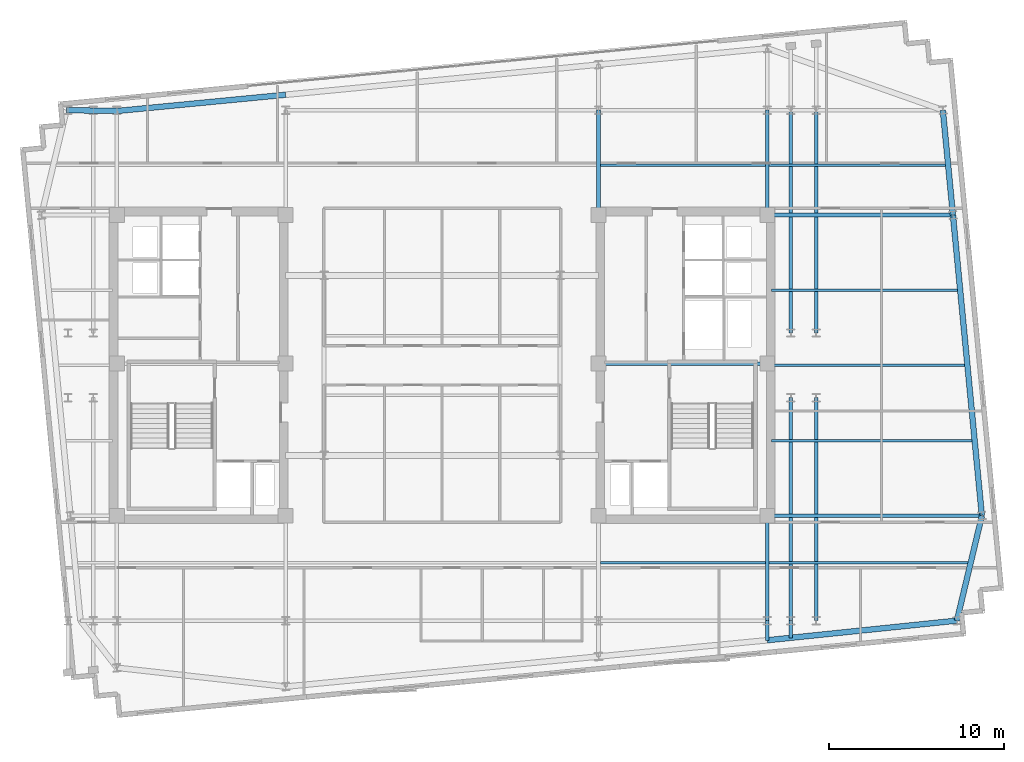
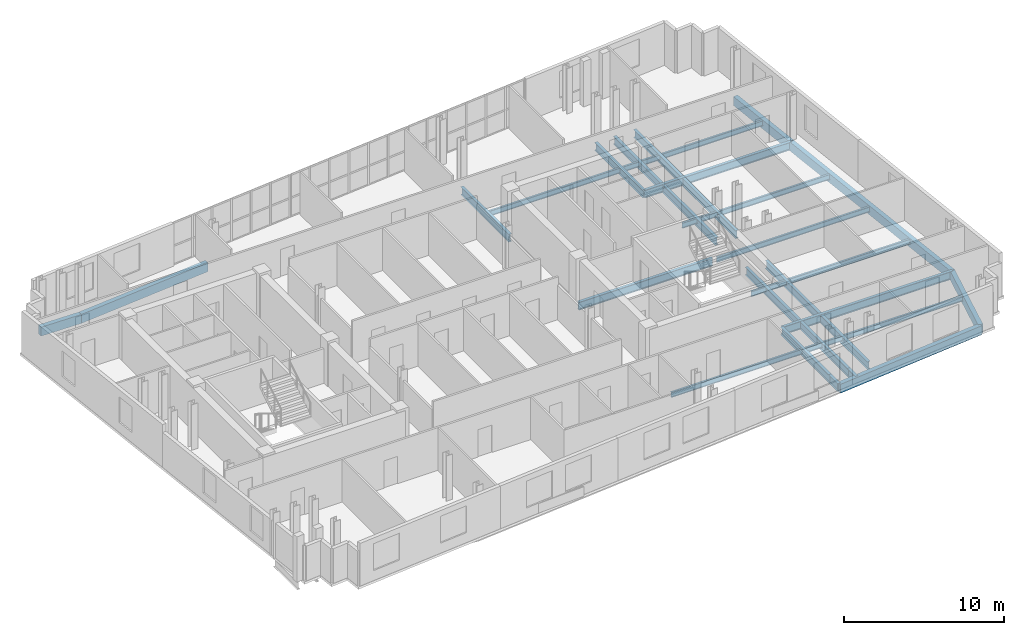
# One storey, part 2 of 11: 25 beams.
"""IFC4 building model written with IfcOpenShell, lengths in metres."""

from ifc_helpers import new_model, si_unit, direction, frame, origin, origin_2d, place, context, subcontext, project, spatial, rectangle, i_section, extrude, material, material_profile, profile_set, type_object, element, save


model = new_model("IFC4")

# Units and contexts
model_context = context("Model", 3, precision=1e-05, world=origin(), true_north=direction((0.0, 1.0)))
body_context = subcontext(model_context, "Body", "Model", "MODEL_VIEW")
ifc_project = project(units=[si_unit("LENGTHUNIT", "METRE"), si_unit("AREAUNIT", "SQUARE_METRE"), si_unit("VOLUMEUNIT", "CUBIC_METRE"), si_unit("PLANEANGLEUNIT", "RADIAN"), si_unit("MASSUNIT", "GRAM", prefix="KILO")], contexts=[model_context])

# Site, building, storey
site_placement = place(None, origin())
site = spatial("IfcSite", under=ifc_project, at=site_placement, CompositionType="ELEMENT")
building_placement = place(site_placement, origin())
building = spatial("IfcBuilding", under=site, at=building_placement, Name="Velakula Bourse", CompositionType="ELEMENT")
storey_placement = place(building_placement, frame((0.0, 0.0, 279.300048828125)))
storey = spatial("IfcBuildingStorey", under=building, at=storey_placement, Name="L76", CompositionType="ELEMENT", Elevation=279.300048828125)

# Beams
ifc_material_1 = material(Name="Steel IS 2062 Grade 350 (E350)", Category="steel")
ifc_material_profile_1 = material_profile(ifc_material_1, i_section(OverallWidth=0.2099609375, OverallDepth=0.60009765625, WebThickness=0.011962890625, FlangeThickness=0.020751953125, at=origin_2d()), Name="Steel IS 2062 Grade 350 (E350)")
ifc_profile_set_1 = profile_set([ifc_material_profile_1], Name="Steel IS 2062 Grade 350 (E350)")
beam_type_1 = type_object("IfcBeamType", Name="BM-GRD-600L", PredefinedType="BEAM", material=ifc_profile_set_1)
beam_1_placement = place(storey_placement, frame((8.949951171875, 0.10009765625, -0.47998046875), z_axis=(1.0, 0.0, 0.0), x_axis=(0.0, 1.0, 0.0)))
element("IfcBeam", 1, at=beam_1_placement, inside=storey, type_object=beam_type_1, Name="L76 Primary Backbone Girder CRE-M", PredefinedType="BEAM", context=body_context, shape_type="SweptSolid", body=[
    extrude(i_section(OverallWidth=0.2099609375, OverallDepth=0.60009765625, WebThickness=0.011962890625, FlangeThickness=0.020751953125, at=origin_2d()), origin(), (0.0, 0.0, 1.0), 9.650146484375),
])
for number, where, z_axis, x_axis, name in (
    (2, (8.949951171875, 8.60009765625, -0.47998046875), (0.0, 1.0, 0.0), (-1.0, 0.0, 0.0), "L76 Fulcrum Grid Girder FLC-ECN"),
    (3, (18.60009765625, -14.60009765625, -0.47998046875), (0.0, 1.0, 0.0), (-1.0, 0.0, 0.0), "L76 Fulcrum Grid Girder FLC-ES"),
    (4, (18.60009765625, 8.60009765625, -0.47998046875), (0.0, 1.0, 0.0), (-1.0, 0.0, 0.0), "L76 Fulcrum Grid Girder FLC-EN"),
):
    element("IfcBeam", number, at=place(storey_placement, frame(where, z_axis=z_axis, x_axis=x_axis)), inside=storey, type_object=beam_type_1, Name=name, PredefinedType="BEAM", context=body_context, shape_type="SweptSolid", body=[
        extrude(i_section(OverallWidth=0.2099609375, OverallDepth=0.60009765625, WebThickness=0.011962890625, FlangeThickness=0.020751953125, at=origin_2d()), origin(), (0.0, 0.0, 1.0), 6.0),
    ])
for number, where, z_axis, x_axis, name in (
    (5, (19.949951171875, -14.60009765625, -0.47998046875), (0.0, 1.0, 0.0), (-1.0, 0.0, 0.0), "L76 Fulcrum Grid Girder FLC-PSE1"),
    (6, (19.949951171875, 1.85009765625, -0.47998046875), (0.0, 1.0, 0.0), (-1.0, 0.0, 0.0), "L76 Fulcrum Grid Girder FLC-PNE1"),
    (7, (21.39990234375, -14.60009765625, -0.47998046875), (0.0, 1.0, 0.0), (-1.0, 0.0, 0.0), "L76 Fulcrum Grid Girder FLC-PSE2"),
    (8, (21.39990234375, 1.85009765625, -0.47998046875), (0.0, 1.0, 0.0), (-1.0, 0.0, 0.0), "L76 Fulcrum Grid Girder FLC-PNE2"),
):
    element("IfcBeam", number, at=place(storey_placement, frame(where, z_axis=z_axis, x_axis=x_axis)), inside=storey, type_object=beam_type_1, Name=name, PredefinedType="BEAM", context=body_context, shape_type="SweptSolid", body=[
        extrude(i_section(OverallWidth=0.2099609375, OverallDepth=0.60009765625, WebThickness=0.011962890625, FlangeThickness=0.020751953125, at=origin_2d()), origin(), (0.0, 0.0, 1.0), 12.75),
    ])
beam_2_placement = place(storey_placement, frame((18.60009765625, -14.60009765625, -0.47998046875), z_axis=(0.0, -1.0, 0.0), x_axis=(1.0, 0.0, 0.0)))
element("IfcBeam", 9, at=beam_2_placement, inside=storey, type_object=beam_type_1, Name="L76 Perimeter Tie Girder S4", PredefinedType="BEAM", context=body_context, shape_type="SweptSolid", body=[
    extrude(i_section(OverallWidth=0.2099609375, OverallDepth=0.60009765625, WebThickness=0.011962890625, FlangeThickness=0.020751953125, at=origin_2d()), origin(), (0.0, 0.0, 1.0), 1.1220703125),
])
beam_3_placement = place(storey_placement, frame((18.60009765625, -8.60009765625, -0.47998046875), z_axis=(1.0, 0.0, 0.0), x_axis=(0.0, 1.0, 0.0)))
element("IfcBeam", 10, at=beam_3_placement, inside=storey, type_object=beam_type_1, Name="L76 Perimeter Tie Girder E2", PredefinedType="BEAM", context=body_context, shape_type="SweptSolid", body=[
    extrude(i_section(OverallWidth=0.2099609375, OverallDepth=0.60009765625, WebThickness=0.011962890625, FlangeThickness=0.020751953125, at=origin_2d()), origin(), (0.0, 0.0, 1.0), 12.27880859375),
])
beam_4_placement = place(storey_placement, frame((18.60009765625, 8.60009765625, -0.47998046875), z_axis=(1.0, 0.0, 0.0), x_axis=(0.0, 1.0, 0.0)))
element("IfcBeam", 11, at=beam_4_placement, inside=storey, type_object=beam_type_1, Name="L76 Perimeter Tie Girder E3", PredefinedType="BEAM", context=body_context, shape_type="SweptSolid", body=[
    extrude(i_section(OverallWidth=0.2099609375, OverallDepth=0.60009765625, WebThickness=0.011962890625, FlangeThickness=0.020751953125, at=origin_2d()), origin(), (0.0, 0.0, 1.0), 10.62255859375),
])
beam_5_placement = place(storey_placement, frame((19.949951171875, -14.60009765625, -0.47998046875), z_axis=(0.0, -1.0, 0.0), x_axis=(1.0, 0.0, 0.0)))
element("IfcBeam", 12, at=beam_5_placement, inside=storey, type_object=beam_type_1, Name="L76 Perimeter Tie Girder P03", PredefinedType="BEAM", context=body_context, shape_type="SweptSolid", body=[
    extrude(i_section(OverallWidth=0.2099609375, OverallDepth=0.60009765625, WebThickness=0.011962890625, FlangeThickness=0.020751953125, at=origin_2d()), origin(), (0.0, 0.0, 1.0), 0.991943359375),
])
ifc_material_profile_2 = material_profile(ifc_material_1, i_section(OverallWidth=0.139892578125, OverallDepth=0.39990234375, WebThickness=0.0087890625, FlangeThickness=0.01611328125, at=origin_2d()), Name="Steel IS 2062 Grade 350 (E350)")
ifc_profile_set_2 = profile_set([ifc_material_profile_2], Name="Steel IS 2062 Grade 350 (E350)")
beam_type_2 = type_object("IfcBeamType", Name="JST-TWR-400", PredefinedType="JOIST", material=ifc_profile_set_2)
beam_6_placement = place(storey_placement, frame((9.054931640625, -11.300048828125, -0.380126953125), z_axis=(1.0, 0.0, 0.0), x_axis=(0.0, 1.0, 0.0)))
element("IfcBeam", 13, at=beam_6_placement, inside=storey, type_object=beam_type_2, Name="L76 Trading Floor Composite Joist 06", PredefinedType="JOIST", context=body_context, shape_type="SweptSolid", body=[
    extrude(i_section(OverallWidth=0.139892578125, OverallDepth=0.39990234375, WebThickness=0.0087890625, FlangeThickness=0.01611328125, at=origin_2d()), origin(), (0.0, 0.0, 1.0), 9.440185546875),
])
beam_7_placement = place(storey_placement, frame((18.705078125, -11.300048828125, -0.380126953125), z_axis=(1.0, 0.0, 0.0), x_axis=(0.0, 1.0, 0.0)))
element("IfcBeam", 14, at=beam_7_placement, inside=storey, type_object=beam_type_2, Name="L76 Trading Floor Composite Joist 07", PredefinedType="JOIST", context=body_context, shape_type="SweptSolid", body=[
    extrude(i_section(OverallWidth=0.139892578125, OverallDepth=0.39990234375, WebThickness=0.0087890625, FlangeThickness=0.01611328125, at=origin_2d()), origin(), (0.0, 0.0, 1.0), 11.364990234375),
])
beam_8_placement = place(storey_placement, frame((9.054931640625, 11.449951171875, -0.380126953125), z_axis=(1.0, 0.0, 0.0), x_axis=(0.0, 1.0, 0.0)))
element("IfcBeam", 15, at=beam_8_placement, inside=storey, type_object=beam_type_2, Name="L76 Trading Floor Composite Joist 11", PredefinedType="JOIST", context=body_context, shape_type="SweptSolid", body=[
    extrude(i_section(OverallWidth=0.139892578125, OverallDepth=0.39990234375, WebThickness=0.0087890625, FlangeThickness=0.01611328125, at=origin_2d()), origin(), (0.0, 0.0, 1.0), 9.440185546875),
])
beam_9_placement = place(storey_placement, frame((18.705078125, 11.449951171875, -0.380126953125), z_axis=(1.0, 0.0, 0.0), x_axis=(0.0, 1.0, 0.0)))
element("IfcBeam", 16, at=beam_9_placement, inside=storey, type_object=beam_type_2, Name="L76 Trading Floor Composite Joist 12", PredefinedType="JOIST", context=body_context, shape_type="SweptSolid", body=[
    extrude(i_section(OverallWidth=0.139892578125, OverallDepth=0.39990234375, WebThickness=0.0087890625, FlangeThickness=0.01611328125, at=origin_2d()), origin(), (0.0, 0.0, 1.0), 10.08251953125),
])
beam_10_placement = place(storey_placement, frame((18.85009765625, -4.300048828125, -0.380126953125), z_axis=(1.0, 0.0, 0.0), x_axis=(0.0, 1.0, 0.0)))
element("IfcBeam", 17, at=beam_10_placement, inside=storey, type_object=beam_type_2, Name="L76 Trading Floor Composite Joist 17", PredefinedType="JOIST", context=body_context, shape_type="SweptSolid", body=[
    extrude(i_section(OverallWidth=0.139892578125, OverallDepth=0.39990234375, WebThickness=0.0087890625, FlangeThickness=0.01611328125, at=origin_2d()), origin(), (0.0, 0.0, 1.0), 11.453857421875),
])
beam_11_placement = place(storey_placement, frame((18.85009765625, 0.0, -0.380126953125), z_axis=(1.0, 0.0, 0.0), x_axis=(0.0, 1.0, 0.0)))
element("IfcBeam", 18, at=beam_11_placement, inside=storey, type_object=beam_type_2, Name="L76 Trading Floor Composite Joist 19", PredefinedType="JOIST", context=body_context, shape_type="SweptSolid", body=[
    extrude(i_section(OverallWidth=0.139892578125, OverallDepth=0.39990234375, WebThickness=0.0087890625, FlangeThickness=0.01611328125, at=origin_2d()), origin(), (0.0, 0.0, 1.0), 11.039794921875),
])
beam_12_placement = place(storey_placement, frame((18.85009765625, 4.300048828125, -0.380126953125), z_axis=(1.0, 0.0, 0.0), x_axis=(0.0, 1.0, 0.0)))
element("IfcBeam", 19, at=beam_12_placement, inside=storey, type_object=beam_type_2, Name="L76 Trading Floor Composite Joist 21", PredefinedType="JOIST", context=body_context, shape_type="SweptSolid", body=[
    extrude(i_section(OverallWidth=0.139892578125, OverallDepth=0.39990234375, WebThickness=0.0087890625, FlangeThickness=0.01611328125, at=origin_2d()), origin(), (0.0, 0.0, 1.0), 10.6259765625),
])
ifc_material_2 = material(Name="Precast concrete M45 (fck 45 MPa)", Category="concrete")
ifc_material_profile_3 = material_profile(ifc_material_2, rectangle(XDim=0.320068359375, YDim=0.679931640625, at=origin_2d()), Name="Precast concrete M45 (fck 45 MPa)")
ifc_profile_set_3 = profile_set([ifc_material_profile_3], Name="Precast concrete M45 (fck 45 MPa)")
beam_type_3 = type_object("IfcBeamType", Name="SPN-BRICK-680", PredefinedType="SPANDREL", material=ifc_profile_set_3)
beam_13_placement = place(storey_placement, frame((-18.60009765625, 14.5517578125, -0.52001953125), z_axis=(0.99539623971, 0.095845323155, 0.0), x_axis=(-0.095845323155, 0.99539623971, 0.0)))
element("IfcBeam", 20, at=beam_13_placement, inside=storey, type_object=beam_type_3, Name="L76 Brick-Faced Precast Spandrel N1-N2", PredefinedType="SPANDREL", context=body_context, shape_type="SweptSolid", body=[
    extrude(rectangle(XDim=0.320068359375, YDim=0.679931640625, at=origin_2d()), origin(), (0.0, 0.0, 1.0), 9.69482421875),
])
beam_14_placement = place(storey_placement, frame((29.447265625, -14.60009765625, -0.52001953125), z_axis=(0.232091371601, 0.972693988482, 0.0), x_axis=(-0.972693988482, 0.232091371601, 0.0)))
element("IfcBeam", 21, at=beam_14_placement, inside=storey, type_object=beam_type_3, Name="L76 Brick-Faced Precast Spandrel E1-E2", PredefinedType="SPANDREL", context=body_context, shape_type="SweptSolid", body=[
    extrude(rectangle(XDim=0.320068359375, YDim=0.679931640625, at=origin_2d()), origin(), (0.0, 0.0, 1.0), 6.16845703125),
])
beam_15_placement = place(storey_placement, frame((30.87890625, -8.60009765625, -0.52001953125), z_axis=(-0.095849167925, 0.995395869495, 0.0), x_axis=(-0.995395869495, -0.095849167925, 0.0)))
element("IfcBeam", 22, at=beam_15_placement, inside=storey, type_object=beam_type_3, Name="L76 Brick-Faced Precast Spandrel E2-E3", PredefinedType="SPANDREL", context=body_context, shape_type="SweptSolid", body=[
    extrude(rectangle(XDim=0.320068359375, YDim=0.679931640625, at=origin_2d()), origin(), (0.0, 0.0, 1.0), 17.27978515625),
])
beam_16_placement = place(storey_placement, frame((29.22265625, 8.60009765625, -0.52001953125), z_axis=(-0.095829714309, 0.995397742541, 0.0), x_axis=(-0.995397742541, -0.095829714309, 0.0)))
element("IfcBeam", 23, at=beam_16_placement, inside=storey, type_object=beam_type_3, Name="L76 Brick-Faced Precast Spandrel E3-E4", PredefinedType="SPANDREL", context=body_context, shape_type="SweptSolid", body=[
    extrude(rectangle(XDim=0.320068359375, YDim=0.679931640625, at=origin_2d()), origin(), (0.0, 0.0, 1.0), 6.02783203125),
])
beam_17_placement = place(storey_placement, frame((18.60009765625, -15.72216796875, -0.52001953125), z_axis=(0.994692267912, 0.102894568159, 0.0), x_axis=(-0.102894568159, 0.994692267912, 0.0)))
element("IfcBeam", 24, at=beam_17_placement, inside=storey, type_object=beam_type_3, Name="L76 Brick-Faced Precast Spandrel S4-E1", PredefinedType="SPANDREL", context=body_context, shape_type="SweptSolid", body=[
    extrude(rectangle(XDim=0.320068359375, YDim=0.679931640625, at=origin_2d()), origin(), (0.0, 0.0, 1.0), 10.905029296875),
])
beam_18_placement = place(storey_placement, frame((-18.60009765625, 14.5517578125, -0.52001953125), z_axis=(-0.999859727013, 0.016748919285, 0.0), x_axis=(-0.016748919285, -0.999859727013, 0.0)))
element("IfcBeam", 25, at=beam_18_placement, inside=storey, type_object=beam_type_3, Name="L76 Brick-Faced Precast Spandrel N1-W4", PredefinedType="SPANDREL", context=body_context, shape_type="SweptSolid", body=[
    extrude(rectangle(XDim=0.320068359375, YDim=0.679931640625, at=origin_2d()), origin(), (0.0, 0.0, 1.0), 2.88623046875),
])

save(model, "model.ifc")
